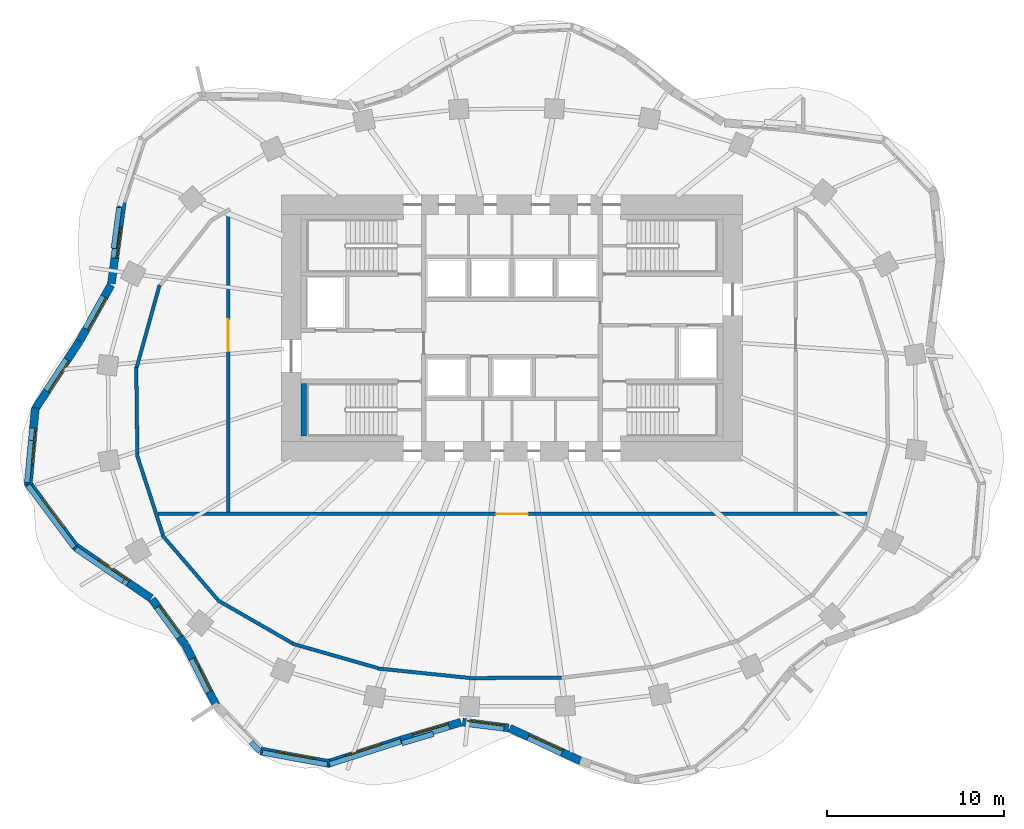
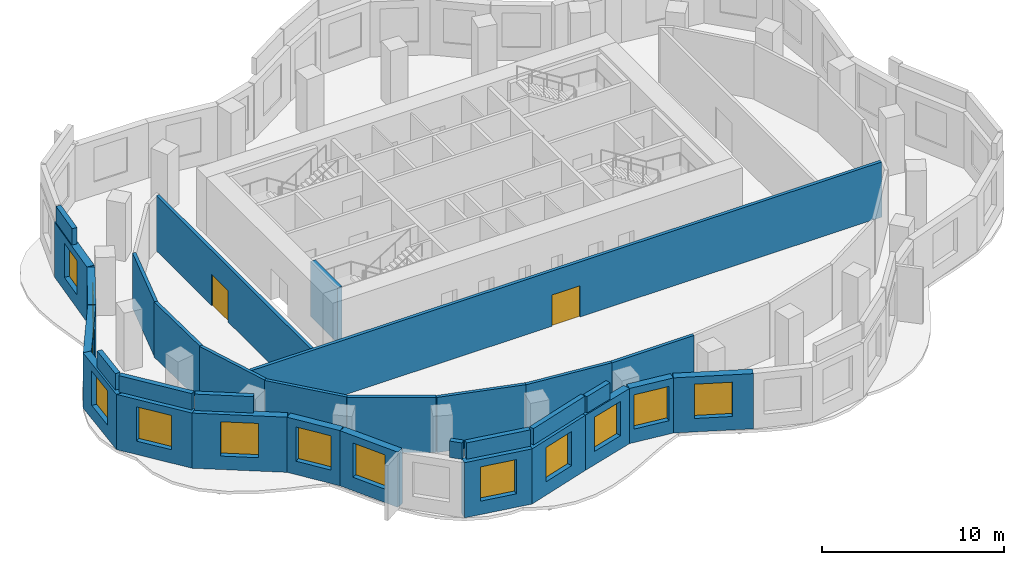
# One storey, part 3 of 8: 32 walls, 13 windows, 2 doors, 15 openings.
"""IFC4 building model written with IfcOpenShell, lengths in metres."""

import ifcopenshell
import ifcopenshell.guid

model = None  # the IFC model being written
_history = None  # IfcOwnerHistory: only IFC2X3 demands one
_inside = {}  # id of a spatial element -> (the spatial element, [elements in it])
_under = {}  # id of a project, library or spatial element -> (it, [spatial elements below it])
_declared = {}  # id of a project -> (the project, [libraries it declares])
_typed = {}  # id of a type object -> (the type object, [elements of that type])
_made_of = {}  # id of a material, layer set ... -> (it, [elements and type objects made of it])


def new_model(schema):
    """Start an empty IFC model of exactly this schema.

    Asked for "IFC4X3", IfcOpenShell would pick the latest addendum, in which some entities
    have other attributes; the version numbers below select the first issue.
    IFC2X3 requires an IfcOwnerHistory on every rooted entity: one is made here for all.
    """
    global model, _history
    if schema == "IFC4X3":
        model = ifcopenshell.file(schema_version=(4, 3, 0, 0))
    else:
        model = ifcopenshell.file(schema=schema)
    _inside.clear()
    _under.clear()
    _declared.clear()
    _typed.clear()
    _made_of.clear()
    _history = None
    if model.schema == "IFC2X3":
        org = make("IfcOrganization", Name="unknown")
        user = make(
            "IfcPersonAndOrganization",
            ThePerson=make("IfcPerson", FamilyName="unknown"),
            TheOrganization=org,
        )
        app = make(
            "IfcApplication",
            ApplicationDeveloper=org,
            Version="unknown",
            ApplicationFullName="unknown",
            ApplicationIdentifier="unknown",
        )
        _history = make(
            "IfcOwnerHistory",
            OwningUser=user,
            OwningApplication=app,
            ChangeAction="ADDED",
            CreationDate=0,
        )
    return model


def make(cls, **values):
    """One entity of the class cls with the attributes given. An attribute that is None is left unset."""
    return model.create_entity(
        cls, **{name: value for name, value in values.items() if value is not None}
    )


def rooted(cls, **values):
    """An entity with a GlobalId (a new one), such as an element, a storey or a relation."""
    return make(cls, GlobalId=ifcopenshell.guid.new(), OwnerHistory=_history, **values)


def si_unit(unit_type, name, prefix=None):
    """IfcSIUnit, for example si_unit("LENGTHUNIT", "METRE", prefix="MILLI")."""
    return make("IfcSIUnit", UnitType=unit_type, Prefix=prefix, Name=name)


def assignment(units):
    """IfcUnitAssignment: the units of a project."""
    return None if units is None else make("IfcUnitAssignment", Units=units)


def point(xyz):
    """IfcCartesianPoint."""
    return None if xyz is None else make("IfcCartesianPoint", Coordinates=xyz)


def direction(xyz):
    """IfcDirection."""
    return None if xyz is None else make("IfcDirection", DirectionRatios=xyz)


def frame(location, z_axis=None, x_axis=None):
    """IfcAxis2Placement3D, a coordinate frame: its origin and axes. An axis left out is left unset."""
    return make(
        "IfcAxis2Placement3D",
        Location=point(location),
        Axis=direction(z_axis),
        RefDirection=direction(x_axis),
    )


def frame_2d(location, x_axis=None):
    """IfcAxis2Placement2D, a coordinate frame in the plane: its origin and x axis."""
    return make(
        "IfcAxis2Placement2D", Location=point(location), RefDirection=direction(x_axis)
    )


def origin():
    """The frame at (0, 0, 0) with its axes left unset."""
    return frame((0.0, 0.0, 0.0))


def place(relative_to, where):
    """IfcLocalPlacement: puts the frame where relative to a parent placement (None: the world)."""
    return make(
        "IfcLocalPlacement", PlacementRelTo=relative_to, RelativePlacement=where
    )


def context(
    kind, dimensions, precision=None, world=None, true_north=None, identifier=None
):
    """IfcGeometricRepresentationContext, for example the 3D "Model" context."""
    return make(
        "IfcGeometricRepresentationContext",
        ContextIdentifier=identifier,
        ContextType=kind,
        CoordinateSpaceDimension=dimensions,
        Precision=precision,
        WorldCoordinateSystem=world,
        TrueNorth=true_north,
    )


def subcontext(parent, identifier, kind, view, scale=None):
    """IfcGeometricRepresentationSubContext, for example "Body" below "Model"."""
    return make(
        "IfcGeometricRepresentationSubContext",
        ContextIdentifier=identifier,
        ContextType=kind,
        ParentContext=parent,
        TargetScale=scale,
        TargetView=view,
    )


def project(units=None, contexts=None):
    """IfcProject with its units and contexts."""
    return rooted(
        "IfcProject",
        Name="project",
        RepresentationContexts=contexts,
        UnitsInContext=assignment(units),
    )


def spatial(cls, under=None, at=None, **own):
    """A site, building, storey or space (cls), placed at a placement, below another one or the project."""
    s = rooted(cls, ObjectPlacement=at, **own)
    if under is not None:
        _under.setdefault(under.id(), (under, []))[1].append(s)
    return s


def profile(cls, at=None, kind="AREA", **sizes):
    """A parametric profile (cls). Its sizes go by their IFC names, for example OverallWidth=200.0."""
    return make(cls, ProfileType=kind, Position=at, **sizes)


def rectangle(**sizes):
    """IfcRectangleProfileDef."""
    return profile("IfcRectangleProfileDef", **sizes)


def extrude(swept, where, along, depth):
    """IfcExtrudedAreaSolid: the profile swept, set in the frame where, extruded along a direction by depth."""
    return make(
        "IfcExtrudedAreaSolid",
        SweptArea=swept,
        Position=where,
        ExtrudedDirection=direction(along),
        Depth=depth,
    )


def shape(context_of_items, identifier, shape_type, items):
    """IfcShapeRepresentation: the items that make up one representation, for example the "Body"."""
    return make(
        "IfcShapeRepresentation",
        ContextOfItems=context_of_items,
        RepresentationIdentifier=identifier,
        RepresentationType=shape_type,
        Items=items,
    )


def material(Name=None, Category=None):
    """IfcMaterial."""
    return make("IfcMaterial", Name=Name, Category=Category)


def layer(
    of_material, thickness, ventilated=None, Name=None, Category=None, Priority=None
):
    """IfcMaterialLayer: one layer of a wall or slab, of a material (None: an air gap)."""
    return make(
        "IfcMaterialLayer",
        Material=of_material,
        LayerThickness=thickness,
        IsVentilated=ventilated,
        Name=Name,
        Category=Category,
        Priority=Priority,
    )


def layer_set(layers, Name=None):
    """IfcMaterialLayerSet."""
    return make("IfcMaterialLayerSet", MaterialLayers=layers, LayerSetName=Name)


def made_of(thing, what):
    """Note that an element or type object is made of a material, layer set ...; save() writes the relation."""
    if what is not None:
        _made_of.setdefault(what.id(), (what, []))[1].append(thing)
    return thing


def type_object(cls, material=None, **own):
    """A type object (cls), such as IfcWallType, which elements share."""
    return made_of(rooted(cls, **own), material)


def element(
    cls,
    number,
    at=None,
    inside=None,
    cuts=None,
    type_object=None,
    material=None,
    context=None,
    identifier="Body",
    shape_type=None,
    held_by="IfcProductDefinitionShape",
    body=None,
    shapes=None,
    **own,
):
    """One element of the class cls, such as IfcWall. Its Tag is "e" and its number.

    at: its placement. inside: the storey or other place that contains it. cuts: it is an
    opening in that element (IfcRelVoidsElement). A single representation is given by context,
    identifier, shape_type and body (its items); several are given by shapes. held_by: the class
    of the entity that holds the representations. save() writes the other relations.
    """
    e = rooted(cls, Tag="e%d" % number, ObjectPlacement=at, **own)
    if body is not None:
        shapes = [shape(context, identifier, shape_type, body)]
    if shapes is not None:
        e.Representation = make(held_by, Representations=shapes)
    if inside is not None:
        _inside.setdefault(inside.id(), (inside, []))[1].append(e)
    if cuts is not None:
        rooted(
            "IfcRelVoidsElement", RelatingBuildingElement=cuts, RelatedOpeningElement=e
        )
    if type_object is not None:
        _typed.setdefault(type_object.id(), (type_object, []))[1].append(e)
    return made_of(e, material)


def fill(opening, filler):
    """IfcRelFillsElement: the door or window that sits in an opening."""
    return rooted(
        "IfcRelFillsElement",
        RelatingOpeningElement=opening,
        RelatedBuildingElement=filler,
    )


def aggregate(whole, parts):
    """IfcRelAggregates: a whole, such as a stair, and the parts it consists of."""
    return rooted("IfcRelAggregates", RelatingObject=whole, RelatedObjects=parts)


def save(model, path):
    """Write the relations noted so far, then the file.

    IfcRelAggregates (storeys below a building ...), IfcRelContainedInSpatialStructure (elements
    in a storey), IfcRelDefinesByType, IfcRelAssociatesMaterial and IfcRelDeclares: one each for
    every whole, place, type object, material and project.
    """
    for whole, parts in _under.values():
        aggregate(whole, parts)
    for where, things in _inside.values():
        rooted(
            "IfcRelContainedInSpatialStructure",
            RelatedElements=things,
            RelatingStructure=where,
        )
    for kind, things in _typed.values():
        rooted("IfcRelDefinesByType", RelatedObjects=things, RelatingType=kind)
    for what, things in _made_of.values():
        rooted("IfcRelAssociatesMaterial", RelatedObjects=things, RelatingMaterial=what)
    for by, libraries in _declared.values():
        rooted("IfcRelDeclares", RelatingContext=by, RelatedDefinitions=libraries)
    model.write(path)


model = new_model("IFC4")

# Units and contexts
model_context = context("Model", 3, precision=1e-05, world=origin(), true_north=direction((0.0, 1.0)))
body_context = subcontext(model_context, "Body", "Model", "MODEL_VIEW")
ifc_project = project(units=[si_unit("LENGTHUNIT", "METRE"), si_unit("AREAUNIT", "SQUARE_METRE"), si_unit("VOLUMEUNIT", "CUBIC_METRE"), si_unit("PLANEANGLEUNIT", "RADIAN"), si_unit("MASSUNIT", "GRAM", prefix="KILO")], contexts=[model_context])

# Site, building, storey
site_placement = place(None, origin())
site = spatial("IfcSite", under=ifc_project, at=site_placement, CompositionType="ELEMENT")
building_placement = place(site_placement, origin())
building = spatial("IfcBuilding", under=site, at=building_placement, Name="Rubra Terraces Tower", CompositionType="ELEMENT")
storey_placement = place(building_placement, frame((0.0, 0.0, 150.0)))
storey = spatial("IfcBuildingStorey", under=building, at=storey_placement, Name="L36", CompositionType="ELEMENT", Elevation=150.0)

# Wall, opening, window
ifc_material_1 = material(Name="Brick masonry red-brown", Category="masonry")
ifc_layer_1 = layer(ifc_material_1, 0.449951171875)
ifc_layer_set_1 = layer_set([ifc_layer_1], Name="Brick masonry red-brown")
wall_type_1 = type_object("IfcWallType", Name="Brick facade wall 450", PredefinedType="SOLIDWALL", material=ifc_layer_set_1)
wall_1_placement = place(storey_placement, frame((-21.97705078125, 11.652099609375, 0.0), z_axis=(0.0, 0.0, 1.0), x_axis=(-0.132606175271, -0.991168806148, 0.0)))
wall_1 = element("IfcWall", 1, at=wall_1_placement, inside=storey, type_object=wall_type_1, Name="Facade wall L36 bay 18", PredefinedType="SOLIDWALL", context=body_context, shape_type="SweptSolid", body=[
    extrude(rectangle(XDim=4.698486328125, YDim=0.449951171875, at=frame_2d((2.34912109375, 0.0))), origin(), (0.0, 0.0, 1.0), 3.699951171875),
])
opening_1_placement = place(wall_1_placement, frame((1.44921875, 0.0, 0.89990234375)))
opening_1 = element("IfcOpeningElement", 2, at=opening_1_placement, cuts=wall_1, Name="Opening W6B", PredefinedType="OPENING", context=body_context, shape_type="SweptSolid", body=[
    extrude(rectangle(XDim=1.800048828125, YDim=2.300048828125, at=frame_2d((0.89990234375, 1.14990234375))), frame((0.0, 0.23486328125, 0.0), z_axis=(0.0, -1.0, 0.0), x_axis=(1.0, 0.0, 0.0)), (0.0, 0.0, 1.0), 0.469970703125),
])
ifc_material_2 = material(Name="Clear glass in aluminium frame", Category="aluminium")
window_type_1 = type_object("IfcWindowType", Name="Fixed deep-set window at wind fin tall storey 1800 x 2300", PartitioningType="SINGLE_PANEL", PredefinedType="WINDOW", material=ifc_material_2)
window_1_placement = place(opening_1_placement, origin())
window_1 = element("IfcWindow", 3, at=window_1_placement, inside=storey, type_object=window_type_1, Name="Window L36 bay 18", OverallHeight=2.300048828125, OverallWidth=1.800048828125, PartitioningType="SINGLE_PANEL", PredefinedType="WINDOW", context=body_context, shape_type="SweptSolid", body=[
    extrude(rectangle(XDim=1.800048828125, YDim=2.300048828125, at=frame_2d((0.89990234375, 1.14990234375))), frame((0.0, 0.135009765625, 0.0), z_axis=(0.0, -1.0, 0.0), x_axis=(1.0, 0.0, 0.0)), (0.0, 0.0, 1.0), 0.06005859375),
])
fill(opening_1, window_1)

wall_2_placement = place(storey_placement, frame((-22.623779296875, 6.920166015625, 0.0), z_axis=(0.0, 0.0, 1.0), x_axis=(-0.488352973107, -0.872646190422, 0.0)))
wall_2 = element("IfcWall", 4, at=wall_2_placement, inside=storey, type_object=wall_type_1, Name="Facade wall L36 bay 19", PredefinedType="SOLIDWALL", context=body_context, shape_type="SweptSolid", body=[
    extrude(rectangle(XDim=3.62255859375, YDim=0.449951171875, at=frame_2d((1.811279296875, 0.0))), origin(), (0.0, 0.0, 1.0), 3.699951171875),
])
opening_2_placement = place(wall_2_placement, frame((0.760986328125, 0.0, 0.89990234375)))
opening_2 = element("IfcOpeningElement", 5, at=opening_2_placement, cuts=wall_2, Name="Opening W1B", PredefinedType="OPENING", context=body_context, shape_type="SweptSolid", body=[
    extrude(rectangle(XDim=2.10009765625, YDim=2.300048828125, at=frame_2d((1.050048828125, 1.14990234375))), frame((0.0, 0.23486328125, 0.0), z_axis=(0.0, -1.0, 0.0), x_axis=(1.0, 0.0, 0.0)), (0.0, 0.0, 1.0), 0.469970703125),
])
window_type_2 = type_object("IfcWindowType", Name="Fixed deep-set window tall storey 2100 x 2300", PartitioningType="SINGLE_PANEL", PredefinedType="WINDOW", material=ifc_material_2)
window_2_placement = place(opening_2_placement, origin())
window_2 = element("IfcWindow", 6, at=window_2_placement, inside=storey, type_object=window_type_2, Name="Window L36 bay 19", OverallHeight=2.300048828125, OverallWidth=2.10009765625, PartitioningType="SINGLE_PANEL", PredefinedType="WINDOW", context=body_context, shape_type="SweptSolid", body=[
    extrude(rectangle(XDim=2.10009765625, YDim=2.300048828125, at=frame_2d((1.050048828125, 1.14990234375))), frame((0.0, 0.135009765625, 0.0), z_axis=(0.0, -1.0, 0.0), x_axis=(1.0, 0.0, 0.0)), (0.0, 0.0, 1.0), 0.06005859375),
])
fill(opening_2, window_2)

wall_3_placement = place(storey_placement, frame((-24.401123046875, 3.74462890625, 0.0), z_axis=(0.0, 0.0, 1.0), x_axis=(-0.547072638725, -0.837085137819, 0.0)))
wall_3 = element("IfcWall", 7, at=wall_3_placement, inside=storey, type_object=wall_type_1, Name="Facade wall L36 bay 20", PredefinedType="SOLIDWALL", context=body_context, shape_type="SweptSolid", body=[
    extrude(rectangle(XDim=4.61572265625, YDim=0.449951171875, at=frame_2d((2.307861328125, 0.0))), origin(), (0.0, 0.0, 1.0), 3.699951171875),
])
opening_3_placement = place(wall_3_placement, frame((1.2578125, 0.0, 0.89990234375)))
opening_3 = element("IfcOpeningElement", 8, at=opening_3_placement, cuts=wall_3, Name="Opening W1B", PredefinedType="OPENING", context=body_context, shape_type="SweptSolid", body=[
    extrude(rectangle(XDim=2.10009765625, YDim=2.300048828125, at=frame_2d((1.050048828125, 1.14990234375))), frame((0.0, 0.23486328125, 0.0), z_axis=(0.0, -1.0, 0.0), x_axis=(1.0, 0.0, 0.0)), (0.0, 0.0, 1.0), 0.469970703125),
])
window_3_placement = place(opening_3_placement, origin())
window_3 = element("IfcWindow", 9, at=window_3_placement, inside=storey, type_object=window_type_2, Name="Window L36 bay 20", OverallHeight=2.300048828125, OverallWidth=2.10009765625, PartitioningType="SINGLE_PANEL", PredefinedType="WINDOW", context=body_context, shape_type="SweptSolid", body=[
    extrude(rectangle(XDim=2.10009765625, YDim=2.300048828125, at=frame_2d((1.050048828125, 1.14990234375))), frame((0.0, 0.135009765625, 0.0), z_axis=(0.0, -1.0, 0.0), x_axis=(1.0, 0.0, 0.0)), (0.0, 0.0, 1.0), 0.06005859375),
])
fill(opening_3, window_3)

wall_4_placement = place(storey_placement, frame((-26.892822265625, -0.020751953125, 0.0), z_axis=(0.0, 0.0, 1.0), x_axis=(-0.092079421996, -0.995751665851, 0.0)))
wall_4 = element("IfcWall", 10, at=wall_4_placement, inside=storey, type_object=wall_type_1, Name="Facade wall L36 bay 21", PredefinedType="SOLIDWALL", context=body_context, shape_type="SweptSolid", body=[
    extrude(rectangle(XDim=4.37744140625, YDim=0.449951171875, at=frame_2d((2.188720703125, 0.0))), origin(), (0.0, 0.0, 1.0), 3.699951171875),
])
opening_4_placement = place(wall_4_placement, frame((1.138916015625, 0.0, 0.89990234375)))
opening_4 = element("IfcOpeningElement", 11, at=opening_4_placement, cuts=wall_4, Name="Opening W1B", PredefinedType="OPENING", context=body_context, shape_type="SweptSolid", body=[
    extrude(rectangle(XDim=2.10009765625, YDim=2.300048828125, at=frame_2d((1.050048828125, 1.14990234375))), frame((0.0, 0.23486328125, 0.0), z_axis=(0.0, -1.0, 0.0), x_axis=(1.0, 0.0, 0.0)), (0.0, 0.0, 1.0), 0.469970703125),
])
window_4_placement = place(opening_4_placement, origin())
window_4 = element("IfcWindow", 12, at=window_4_placement, inside=storey, type_object=window_type_2, Name="Window L36 bay 21", OverallHeight=2.300048828125, OverallWidth=2.10009765625, PartitioningType="SINGLE_PANEL", PredefinedType="WINDOW", context=body_context, shape_type="SweptSolid", body=[
    extrude(rectangle(XDim=2.10009765625, YDim=2.300048828125, at=frame_2d((1.050048828125, 1.14990234375))), frame((0.0, 0.135009765625, 0.0), z_axis=(0.0, -1.0, 0.0), x_axis=(1.0, 0.0, 0.0)), (0.0, 0.0, 1.0), 0.06005859375),
])
fill(opening_4, window_4)

wall_5_placement = place(storey_placement, frame((-27.339599609375, -4.224609375, 0.0), z_axis=(0.0, 0.0, 1.0), x_axis=(0.597544608195, -0.801835669709, 0.0)))
wall_5 = element("IfcWall", 13, at=wall_5_placement, inside=storey, type_object=wall_type_1, Name="Facade wall L36 bay 22", PredefinedType="SOLIDWALL", context=body_context, shape_type="SweptSolid", body=[
    extrude(rectangle(XDim=4.523193359375, YDim=0.449951171875, at=frame_2d((2.26171875, 0.0))), origin(), (0.0, 0.0, 1.0), 3.699951171875),
])
opening_5_placement = place(wall_5_placement, frame((1.211669921875, 0.0, 0.89990234375)))
opening_5 = element("IfcOpeningElement", 14, at=opening_5_placement, cuts=wall_5, Name="Opening W1B", PredefinedType="OPENING", context=body_context, shape_type="SweptSolid", body=[
    extrude(rectangle(XDim=2.10009765625, YDim=2.300048828125, at=frame_2d((1.050048828125, 1.14990234375))), frame((0.0, 0.23486328125, 0.0), z_axis=(0.0, -1.0, 0.0), x_axis=(1.0, 0.0, 0.0)), (0.0, 0.0, 1.0), 0.469970703125),
])
window_5_placement = place(opening_5_placement, origin())
window_5 = element("IfcWindow", 15, at=window_5_placement, inside=storey, type_object=window_type_2, Name="Window L36 bay 22", OverallHeight=2.300048828125, OverallWidth=2.10009765625, PartitioningType="SINGLE_PANEL", PredefinedType="WINDOW", context=body_context, shape_type="SweptSolid", body=[
    extrude(rectangle(XDim=2.10009765625, YDim=2.300048828125, at=frame_2d((1.050048828125, 1.14990234375))), frame((0.0, 0.135009765625, 0.0), z_axis=(0.0, -1.0, 0.0), x_axis=(1.0, 0.0, 0.0)), (0.0, 0.0, 1.0), 0.06005859375),
])
fill(opening_5, window_5)

wall_6_placement = place(storey_placement, frame((-24.690185546875, -7.80029296875, 0.0), z_axis=(0.0, 0.0, 1.0), x_axis=(0.825631274437, -0.564210066085, 0.0)))
wall_6 = element("IfcWall", 16, at=wall_6_placement, inside=storey, type_object=wall_type_1, Name="Facade wall L36 bay 23", PredefinedType="SOLIDWALL", context=body_context, shape_type="SweptSolid", body=[
    extrude(rectangle(XDim=5.24658203125, YDim=0.449951171875, at=frame_2d((2.623291015625, 0.0))), origin(), (0.0, 0.0, 1.0), 3.699951171875),
])
opening_6_placement = place(wall_6_placement, frame((1.573486328125, 0.0, 0.89990234375)))
opening_6 = element("IfcOpeningElement", 17, at=opening_6_placement, cuts=wall_6, Name="Opening W1B", PredefinedType="OPENING", context=body_context, shape_type="SweptSolid", body=[
    extrude(rectangle(XDim=2.10009765625, YDim=2.300048828125, at=frame_2d((1.050048828125, 1.14990234375))), frame((0.0, 0.23486328125, 0.0), z_axis=(0.0, -1.0, 0.0), x_axis=(1.0, 0.0, 0.0)), (0.0, 0.0, 1.0), 0.469970703125),
])
window_6_placement = place(opening_6_placement, origin())
window_6 = element("IfcWindow", 18, at=window_6_placement, inside=storey, type_object=window_type_2, Name="Window L36 bay 23", OverallHeight=2.300048828125, OverallWidth=2.10009765625, PartitioningType="SINGLE_PANEL", PredefinedType="WINDOW", context=body_context, shape_type="SweptSolid", body=[
    extrude(rectangle(XDim=2.10009765625, YDim=2.300048828125, at=frame_2d((1.050048828125, 1.14990234375))), frame((0.0, 0.135009765625, 0.0), z_axis=(0.0, -1.0, 0.0), x_axis=(1.0, 0.0, 0.0)), (0.0, 0.0, 1.0), 0.06005859375),
])
fill(opening_6, window_6)

wall_7_placement = place(storey_placement, frame((-20.307373046875, -10.808349609375, 0.0), z_axis=(0.0, 0.0, 1.0), x_axis=(0.588623179346, -0.808407541242, 0.0)))
wall_7 = element("IfcWall", 19, at=wall_7_placement, inside=storey, type_object=wall_type_1, Name="Facade wall L36 bay 24", PredefinedType="SOLIDWALL", context=body_context, shape_type="SweptSolid", body=[
    extrude(rectangle(XDim=3.1826171875, YDim=0.449951171875, at=frame_2d((1.59130859375, 0.0))), origin(), (0.0, 0.0, 1.0), 3.699951171875),
])
opening_7_placement = place(wall_7_placement, frame((0.541259765625, 0.0, 0.89990234375)))
opening_7 = element("IfcOpeningElement", 20, at=opening_7_placement, cuts=wall_7, Name="Opening W1B", PredefinedType="OPENING", context=body_context, shape_type="SweptSolid", body=[
    extrude(rectangle(XDim=2.10009765625, YDim=2.300048828125, at=frame_2d((1.050048828125, 1.14990234375))), frame((0.0, 0.23486328125, 0.0), z_axis=(0.0, -1.0, 0.0), x_axis=(1.0, 0.0, 0.0)), (0.0, 0.0, 1.0), 0.469970703125),
])
window_7_placement = place(opening_7_placement, origin())
window_7 = element("IfcWindow", 21, at=window_7_placement, inside=storey, type_object=window_type_2, Name="Window L36 bay 24", OverallHeight=2.300048828125, OverallWidth=2.10009765625, PartitioningType="SINGLE_PANEL", PredefinedType="WINDOW", context=body_context, shape_type="SweptSolid", body=[
    extrude(rectangle(XDim=2.10009765625, YDim=2.300048828125, at=frame_2d((1.050048828125, 1.14990234375))), frame((0.0, 0.135009765625, 0.0), z_axis=(0.0, -1.0, 0.0), x_axis=(1.0, 0.0, 0.0)), (0.0, 0.0, 1.0), 0.06005859375),
])
fill(opening_7, window_7)

wall_8_placement = place(storey_placement, frame((-18.4140625, -13.412109375, 0.0), z_axis=(0.0, 0.0, 1.0), x_axis=(0.453339558905, -0.891337895712, 0.0)))
wall_8 = element("IfcWall", 22, at=wall_8_placement, inside=storey, type_object=wall_type_1, Name="Facade wall L36 bay 25", PredefinedType="SOLIDWALL", context=body_context, shape_type="SweptSolid", body=[
    extrude(rectangle(XDim=3.78759765625, YDim=0.449951171875, at=frame_2d((1.893798828125, 0.0))), origin(), (0.0, 0.0, 1.0), 3.699951171875),
])
opening_8_placement = place(wall_8_placement, frame((0.843994140625, 0.0, 0.89990234375)))
opening_8 = element("IfcOpeningElement", 23, at=opening_8_placement, cuts=wall_8, Name="Opening W1B", PredefinedType="OPENING", context=body_context, shape_type="SweptSolid", body=[
    extrude(rectangle(XDim=2.10009765625, YDim=2.300048828125, at=frame_2d((1.050048828125, 1.14990234375))), frame((0.0, 0.23486328125, 0.0), z_axis=(0.0, -1.0, 0.0), x_axis=(1.0, 0.0, 0.0)), (0.0, 0.0, 1.0), 0.469970703125),
])
window_8_placement = place(opening_8_placement, origin())
window_8 = element("IfcWindow", 24, at=window_8_placement, inside=storey, type_object=window_type_2, Name="Window L36 bay 25", OverallHeight=2.300048828125, OverallWidth=2.10009765625, PartitioningType="SINGLE_PANEL", PredefinedType="WINDOW", context=body_context, shape_type="SweptSolid", body=[
    extrude(rectangle(XDim=2.10009765625, YDim=2.300048828125, at=frame_2d((1.050048828125, 1.14990234375))), frame((0.0, 0.135009765625, 0.0), z_axis=(0.0, -1.0, 0.0), x_axis=(1.0, 0.0, 0.0)), (0.0, 0.0, 1.0), 0.06005859375),
])
fill(opening_8, window_8)

wall_9_placement = place(storey_placement, frame((-14.193603515625, -19.36962890625, 0.0), z_axis=(0.0, 0.0, 1.0), x_axis=(0.983644868335, -0.180118774698, 0.0)))
wall_9 = element("IfcWall", 25, at=wall_9_placement, inside=storey, type_object=wall_type_1, Name="Facade wall L36 bay 27", PredefinedType="SOLIDWALL", context=body_context, shape_type="SweptSolid", body=[
    extrude(rectangle(XDim=3.953857421875, YDim=0.449951171875, at=frame_2d((1.97705078125, 0.0))), origin(), (0.0, 0.0, 1.0), 3.699951171875),
])
opening_9_placement = place(wall_9_placement, frame((0.9267578125, 0.0, 0.89990234375)))
opening_9 = element("IfcOpeningElement", 26, at=opening_9_placement, cuts=wall_9, Name="Opening W1B", PredefinedType="OPENING", context=body_context, shape_type="SweptSolid", body=[
    extrude(rectangle(XDim=2.10009765625, YDim=2.300048828125, at=frame_2d((1.050048828125, 1.14990234375))), frame((0.0, 0.23486328125, 0.0), z_axis=(0.0, -1.0, 0.0), x_axis=(1.0, 0.0, 0.0)), (0.0, 0.0, 1.0), 0.469970703125),
])
window_9_placement = place(opening_9_placement, origin())
window_9 = element("IfcWindow", 27, at=window_9_placement, inside=storey, type_object=window_type_2, Name="Window L36 bay 27", OverallHeight=2.300048828125, OverallWidth=2.10009765625, PartitioningType="SINGLE_PANEL", PredefinedType="WINDOW", context=body_context, shape_type="SweptSolid", body=[
    extrude(rectangle(XDim=2.10009765625, YDim=2.300048828125, at=frame_2d((1.050048828125, 1.14990234375))), frame((0.0, 0.135009765625, 0.0), z_axis=(0.0, -1.0, 0.0), x_axis=(1.0, 0.0, 0.0)), (0.0, 0.0, 1.0), 0.06005859375),
])
fill(opening_9, window_9)

wall_10_placement = place(storey_placement, frame((-10.410888671875, -20.087890625, 0.0), z_axis=(0.0, 0.0, 1.0), x_axis=(0.952259303219, 0.305290385423, 0.0)))
wall_10 = element("IfcWall", 28, at=wall_10_placement, inside=storey, type_object=wall_type_1, Name="Facade wall L36 bay 28", PredefinedType="SOLIDWALL", context=body_context, shape_type="SweptSolid", body=[
    extrude(rectangle(XDim=4.354248046875, YDim=0.449951171875, at=frame_2d((2.17724609375, 0.0))), origin(), (0.0, 0.0, 1.0), 3.699951171875),
])
opening_10_placement = place(wall_10_placement, frame((1.127197265625, 0.0, 0.89990234375)))
opening_10 = element("IfcOpeningElement", 29, at=opening_10_placement, cuts=wall_10, Name="Opening W1B", PredefinedType="OPENING", context=body_context, shape_type="SweptSolid", body=[
    extrude(rectangle(XDim=2.10009765625, YDim=2.300048828125, at=frame_2d((1.050048828125, 1.14990234375))), frame((0.0, 0.23486328125, 0.0), z_axis=(0.0, -1.0, 0.0), x_axis=(1.0, 0.0, 0.0)), (0.0, 0.0, 1.0), 0.469970703125),
])
window_10_placement = place(opening_10_placement, origin())
window_10 = element("IfcWindow", 30, at=window_10_placement, inside=storey, type_object=window_type_2, Name="Window L36 bay 28", OverallHeight=2.300048828125, OverallWidth=2.10009765625, PartitioningType="SINGLE_PANEL", PredefinedType="WINDOW", context=body_context, shape_type="SweptSolid", body=[
    extrude(rectangle(XDim=2.10009765625, YDim=2.300048828125, at=frame_2d((1.050048828125, 1.14990234375))), frame((0.0, 0.135009765625, 0.0), z_axis=(0.0, -1.0, 0.0), x_axis=(1.0, 0.0, 0.0)), (0.0, 0.0, 1.0), 0.06005859375),
])
fill(opening_10, window_10)

wall_11_placement = place(storey_placement, frame((-6.25927734375, -18.757080078125, 0.0), z_axis=(0.0, 0.0, 1.0), x_axis=(0.958402993098, 0.285418469658, 0.0)))
wall_11 = element("IfcWall", 31, at=wall_11_placement, inside=storey, type_object=wall_type_1, Name="Facade wall L36 bay 29", PredefinedType="SOLIDWALL", context=body_context, shape_type="SweptSolid", body=[
    extrude(rectangle(XDim=3.530029296875, YDim=0.449951171875, at=frame_2d((1.76513671875, 0.0))), origin(), (0.0, 0.0, 1.0), 3.699951171875),
])
opening_11_placement = place(wall_11_placement, frame((0.715087890625, 0.0, 0.89990234375)))
opening_11 = element("IfcOpeningElement", 32, at=opening_11_placement, cuts=wall_11, Name="Opening W1B", PredefinedType="OPENING", context=body_context, shape_type="SweptSolid", body=[
    extrude(rectangle(XDim=2.10009765625, YDim=2.300048828125, at=frame_2d((1.050048828125, 1.14990234375))), frame((0.0, 0.23486328125, 0.0), z_axis=(0.0, -1.0, 0.0), x_axis=(1.0, 0.0, 0.0)), (0.0, 0.0, 1.0), 0.469970703125),
])
window_11_placement = place(opening_11_placement, origin())
window_11 = element("IfcWindow", 33, at=window_11_placement, inside=storey, type_object=window_type_2, Name="Window L36 bay 29", OverallHeight=2.300048828125, OverallWidth=2.10009765625, PartitioningType="SINGLE_PANEL", PredefinedType="WINDOW", context=body_context, shape_type="SweptSolid", body=[
    extrude(rectangle(XDim=2.10009765625, YDim=2.300048828125, at=frame_2d((1.050048828125, 1.14990234375))), frame((0.0, 0.135009765625, 0.0), z_axis=(0.0, -1.0, 0.0), x_axis=(1.0, 0.0, 0.0)), (0.0, 0.0, 1.0), 0.06005859375),
])
fill(opening_11, window_11)

wall_12_placement = place(storey_placement, frame((-2.786865234375, -17.7431640625, 0.0), z_axis=(0.0, 0.0, 1.0), x_axis=(0.992082884112, -0.125584836078, 0.0)))
wall_12 = element("IfcWall", 34, at=wall_12_placement, inside=storey, type_object=wall_type_1, Name="Facade wall L36 bay 30", PredefinedType="SOLIDWALL", context=body_context, shape_type="SweptSolid", body=[
    extrude(rectangle(XDim=2.61669921875, YDim=0.449951171875, at=frame_2d((1.308349609375, 0.0))), origin(), (0.0, 0.0, 1.0), 3.699951171875),
])
opening_12_placement = place(wall_12_placement, frame((0.25830078125, 0.0, 0.89990234375)))
opening_12 = element("IfcOpeningElement", 35, at=opening_12_placement, cuts=wall_12, Name="Opening W1B", PredefinedType="OPENING", context=body_context, shape_type="SweptSolid", body=[
    extrude(rectangle(XDim=2.10009765625, YDim=2.300048828125, at=frame_2d((1.050048828125, 1.14990234375))), frame((0.0, 0.23486328125, 0.0), z_axis=(0.0, -1.0, 0.0), x_axis=(1.0, 0.0, 0.0)), (0.0, 0.0, 1.0), 0.469970703125),
])
window_12_placement = place(opening_12_placement, origin())
window_12 = element("IfcWindow", 36, at=window_12_placement, inside=storey, type_object=window_type_2, Name="Window L36 bay 30", OverallHeight=2.300048828125, OverallWidth=2.10009765625, PartitioningType="SINGLE_PANEL", PredefinedType="WINDOW", context=body_context, shape_type="SweptSolid", body=[
    extrude(rectangle(XDim=2.10009765625, YDim=2.300048828125, at=frame_2d((1.050048828125, 1.14990234375))), frame((0.0, 0.135009765625, 0.0), z_axis=(0.0, -1.0, 0.0), x_axis=(1.0, 0.0, 0.0)), (0.0, 0.0, 1.0), 0.06005859375),
])
fill(opening_12, window_12)

wall_13_placement = place(storey_placement, frame((-0.125, -18.090576171875, 0.0), z_axis=(0.0, 0.0, 1.0), x_axis=(0.908677980036, -0.417497698912, 0.0)))
wall_13 = element("IfcWall", 37, at=wall_13_placement, inside=storey, type_object=wall_type_1, Name="Facade wall L36 bay 31", PredefinedType="SOLIDWALL", context=body_context, shape_type="SweptSolid", body=[
    extrude(rectangle(XDim=4.40673828125, YDim=0.449951171875, at=frame_2d((2.203369140625, 0.0))), origin(), (0.0, 0.0, 1.0), 3.699951171875),
])
opening_13_placement = place(wall_13_placement, frame((1.153564453125, 0.0, 0.89990234375)))
opening_13 = element("IfcOpeningElement", 38, at=opening_13_placement, cuts=wall_13, Name="Opening W1B", PredefinedType="OPENING", context=body_context, shape_type="SweptSolid", body=[
    extrude(rectangle(XDim=2.10009765625, YDim=2.300048828125, at=frame_2d((1.050048828125, 1.14990234375))), frame((0.0, 0.23486328125, 0.0), z_axis=(0.0, -1.0, 0.0), x_axis=(1.0, 0.0, 0.0)), (0.0, 0.0, 1.0), 0.469970703125),
])
window_13_placement = place(opening_13_placement, origin())
window_13 = element("IfcWindow", 39, at=window_13_placement, inside=storey, type_object=window_type_2, Name="Window L36 bay 31", OverallHeight=2.300048828125, OverallWidth=2.10009765625, PartitioningType="SINGLE_PANEL", PredefinedType="WINDOW", context=body_context, shape_type="SweptSolid", body=[
    extrude(rectangle(XDim=2.10009765625, YDim=2.300048828125, at=frame_2d((1.050048828125, 1.14990234375))), frame((0.0, 0.135009765625, 0.0), z_axis=(0.0, -1.0, 0.0), x_axis=(1.0, 0.0, 0.0)), (0.0, 0.0, 1.0), 0.06005859375),
])
fill(opening_13, window_13)

# Walls
ifc_layer_2 = layer(ifc_material_1, 0.300048828125)
ifc_layer_set_2 = layer_set([ifc_layer_2], Name="Brick masonry red-brown")
wall_type_2 = type_object("IfcWallType", Name="Brick parapet 300", PredefinedType="PARAPET", material=ifc_layer_set_2)
wall_14_placement = place(storey_placement, frame((-22.161865234375, 11.28759765625, 3.89990234375), z_axis=(0.0, 0.0, 1.0), x_axis=(-0.132583148979, -0.991171886509, 0.0)))
element("IfcWall", 40, at=wall_14_placement, inside=storey, type_object=wall_type_2, Name="Parapet L36 bay 18", PredefinedType="PARAPET", context=body_context, shape_type="SweptSolid", body=[
    extrude(rectangle(XDim=2.32568359375, YDim=0.300048828125, at=frame_2d((1.162841796875, 0.0))), origin(), (0.0, 0.0, 1.0), 1.10009765625),
])
wall_15_placement = place(storey_placement, frame((-27.136962890625, -1.84423828125, 3.89990234375), z_axis=(0.0, 0.0, 1.0), x_axis=(-0.09207090573, -0.995752453333, 0.0)))
element("IfcWall", 41, at=wall_15_placement, inside=storey, type_object=wall_type_2, Name="Parapet L36 bay 21", PredefinedType="PARAPET", context=body_context, shape_type="SweptSolid", body=[
    extrude(rectangle(XDim=2.39453125, YDim=0.300048828125, at=frame_2d((1.197265625, 0.0))), origin(), (0.0, 0.0, 1.0), 1.10009765625),
])
wall_16_placement = place(storey_placement, frame((-27.31298828125, -4.3857421875, 3.89990234375), z_axis=(0.0, 0.0, 1.0), x_axis=(0.59755096896, -0.801830929495, 0.0)))
element("IfcWall", 42, at=wall_16_placement, inside=storey, type_object=wall_type_2, Name="Parapet L36 bay 22", PredefinedType="PARAPET", context=body_context, shape_type="SweptSolid", body=[
    extrude(rectangle(XDim=4.375244140625, YDim=0.300048828125, at=frame_2d((2.1875, 0.0))), origin(), (0.0, 0.0, 1.0), 1.10009765625),
])
wall_17_placement = place(storey_placement, frame((-24.620361328125, -7.96923828125, 3.89990234375), z_axis=(0.0, 0.0, 1.0), x_axis=(0.825656338645, -0.564173386872, 0.0)))
element("IfcWall", 43, at=wall_17_placement, inside=storey, type_object=wall_type_2, Name="Parapet L36 bay 23", PredefinedType="PARAPET", context=body_context, shape_type="SweptSolid", body=[
    extrude(rectangle(XDim=3.24072265625, YDim=0.300048828125, at=frame_2d((1.620361328125, 0.0))), origin(), (0.0, 0.0, 1.0), 1.10009765625),
])
wall_18_placement = place(storey_placement, frame((-14.719482421875, -18.885498046875, 3.89990234375), z_axis=(0.0, 0.0, 1.0), x_axis=(0.702333802144, -0.711847757857, 0.0)))
element("IfcWall", 44, at=wall_18_placement, inside=storey, type_object=wall_type_2, Name="Parapet L36 bay 26", PredefinedType="PARAPET", context=body_context, shape_type="SweptSolid", body=[
    extrude(rectangle(XDim=0.718505859375, YDim=0.300048828125, at=frame_2d((0.359375, 0.0))), origin(), (0.0, 0.0, 1.0), 1.10009765625),
])
wall_19_placement = place(storey_placement, frame((-14.08447265625, -19.4658203125, 3.89990234375), z_axis=(0.0, 0.0, 1.0), x_axis=(0.983649941349, -0.180091068307, 0.0)))
element("IfcWall", 45, at=wall_19_placement, inside=storey, type_object=wall_type_2, Name="Parapet L36 bay 27", PredefinedType="PARAPET", context=body_context, shape_type="SweptSolid", body=[
    extrude(rectangle(XDim=3.723876953125, YDim=0.300048828125, at=frame_2d((1.86181640625, 0.0))), origin(), (0.0, 0.0, 1.0), 1.10009765625),
])
wall_20_placement = place(storey_placement, frame((-10.29052734375, -20.1279296875, 3.89990234375), z_axis=(0.0, 0.0, 1.0), x_axis=(0.95227021617, 0.305256343745, 0.0)))
element("IfcWall", 46, at=wall_20_placement, inside=storey, type_object=wall_type_2, Name="Parapet L36 bay 28", PredefinedType="PARAPET", context=body_context, shape_type="SweptSolid", body=[
    extrude(rectangle(XDim=4.220458984375, YDim=0.300048828125, at=frame_2d((2.1103515625, 0.0))), origin(), (0.0, 0.0, 1.0), 1.10009765625),
])
wall_21_placement = place(storey_placement, frame((-6.2080078125, -18.939697265625, 3.89990234375), z_axis=(0.0, 0.0, 1.0), x_axis=(0.958406458316, 0.285406833587, 0.0)))
element("IfcWall", 47, at=wall_21_placement, inside=storey, type_object=wall_type_2, Name="Parapet L36 bay 29", PredefinedType="PARAPET", context=body_context, shape_type="SweptSolid", body=[
    extrude(rectangle(XDim=1.846923828125, YDim=0.300048828125, at=frame_2d((0.92333984375, 0.0))), origin(), (0.0, 0.0, 1.0), 1.10009765625),
])
ifc_material_3 = material(Name="Concrete C40", Category="concrete")
ifc_layer_3 = layer(ifc_material_3, 0.300048828125)
ifc_layer_set_3 = layer_set([ifc_layer_3], Name="Concrete C40")
wall_type_3 = type_object("IfcWallType", Name="Core lining wall 300 concrete", PredefinedType="SOLIDWALL", material=ifc_layer_set_3)
wall_22_placement = place(storey_placement, frame((-11.75, -1.60009765625, 0.0), z_axis=(0.0, 0.0, 1.0), x_axis=(0.0, 1.0, 0.0)))
element("IfcWall", 48, at=wall_22_placement, inside=storey, type_object=wall_type_3, Name="CORE LINING WALL L36", PredefinedType="SOLIDWALL", context=body_context, shape_type="SweptSolid", body=[
    extrude(rectangle(XDim=2.9501953125, YDim=0.300048828125, at=frame_2d((1.47509765625, 0.0))), origin(), (0.0, 0.0, 1.0), 3.699951171875),
])
ifc_material_4 = material(Name="Blockwork", Category="masonry")
ifc_layer_4 = layer(ifc_material_4, 0.199951171875)
ifc_layer_set_4 = layer_set([ifc_layer_4], Name="Blockwork")
wall_type_4 = type_object("IfcWallType", Name="Corridor partition 200 blockwork", PredefinedType="PARTITIONING", material=ifc_layer_set_4)
wall_23_placement = place(storey_placement, frame((2.799072265625, -15.236083984375, 0.0), z_axis=(0.0, 0.0, 1.0), x_axis=(-0.9999876741, -0.004965042553, 0.0)))
element("IfcWall", 49, at=wall_23_placement, inside=storey, type_object=wall_type_4, Name="Partition wall", PredefinedType="PARTITIONING", context=body_context, shape_type="SweptSolid", body=[
    extrude(rectangle(XDim=5.212158203125, YDim=0.199951171875, at=frame_2d((2.60595703125, 0.0))), origin(), (0.0, 0.0, 1.0), 3.699951171875),
])
wall_24_placement = place(storey_placement, frame((-2.412109375, -15.251953125, 0.0), z_axis=(0.0, 0.0, 1.0), x_axis=(-0.994673915242, 0.103071830955, 0.0)))
element("IfcWall", 50, at=wall_24_placement, inside=storey, type_object=wall_type_4, Name="Partition wall", PredefinedType="PARTITIONING", context=body_context, shape_type="SweptSolid", body=[
    extrude(rectangle(XDim=5.161376953125, YDim=0.199951171875, at=frame_2d((2.58056640625, 0.0))), origin(), (0.0, 0.0, 1.0), 3.699951171875),
])
wall_25_placement = place(storey_placement, frame((-7.54296875, -14.702880859375, 0.0), z_axis=(0.0, 0.0, 1.0), x_axis=(-0.961706339668, 0.27408195169, 0.0)))
element("IfcWall", 51, at=wall_25_placement, inside=storey, type_object=wall_type_4, Name="Partition wall", PredefinedType="PARTITIONING", context=body_context, shape_type="SweptSolid", body=[
    extrude(rectangle(XDim=5.045166015625, YDim=0.199951171875, at=frame_2d((2.5224609375, 0.0))), origin(), (0.0, 0.0, 1.0), 3.699951171875),
])
wall_26_placement = place(storey_placement, frame((-12.385986328125, -13.297119140625, 0.0), z_axis=(0.0, 0.0, 1.0), x_axis=(-0.866617890559, 0.498972375751, 0.0)))
element("IfcWall", 52, at=wall_26_placement, inside=storey, type_object=wall_type_4, Name="Partition wall", PredefinedType="PARTITIONING", context=body_context, shape_type="SweptSolid", body=[
    extrude(rectangle(XDim=4.904052734375, YDim=0.199951171875, at=frame_2d((2.4521484375, 0.0))), origin(), (0.0, 0.0, 1.0), 3.699951171875),
])
wall_27_placement = place(storey_placement, frame((-16.614013671875, -10.823974609375, 0.0), z_axis=(0.0, 0.0, 1.0), x_axis=(-0.652570543166, 0.757727976382, 0.0)))
element("IfcWall", 53, at=wall_27_placement, inside=storey, type_object=wall_type_4, Name="Partition wall", PredefinedType="PARTITIONING", context=body_context, shape_type="SweptSolid", body=[
    extrude(rectangle(XDim=4.76416015625, YDim=0.199951171875, at=frame_2d((2.382080078125, 0.0))), origin(), (0.0, 0.0, 1.0), 3.699951171875),
])
wall_28_placement = place(storey_placement, frame((-19.68896484375, -7.195068359375, 0.0), z_axis=(0.0, 0.0, 1.0), x_axis=(-0.308517152125, 0.951218779695, 0.0)))
element("IfcWall", 54, at=wall_28_placement, inside=storey, type_object=wall_type_4, Name="Partition wall", PredefinedType="PARTITIONING", context=body_context, shape_type="SweptSolid", body=[
    extrude(rectangle(XDim=4.7939453125, YDim=0.199951171875, at=frame_2d((2.39697265625, 0.0))), origin(), (0.0, 0.0, 1.0), 3.699951171875),
])

# Wall, opening, door
wall_29_placement = place(storey_placement, frame((-19.97705078125, -6.0, 0.0), z_axis=(0.0, 0.0, 1.0), x_axis=(1.0, 0.0, 0.0)))
wall_29 = element("IfcWall", 55, at=wall_29_placement, inside=storey, type_object=wall_type_4, Name="Partition wall", PredefinedType="PARTITIONING", context=body_context, shape_type="SweptSolid", body=[
    extrude(rectangle(XDim=40.01513671875, YDim=0.199951171875, at=frame_2d((20.007568359375, 0.0))), origin(), (0.0, 0.0, 1.0), 3.699951171875),
])
opening_14_placement = place(wall_29_placement, frame((19.076904296875, 0.0, 0.0)))
opening_14 = element("IfcOpeningElement", 56, at=opening_14_placement, cuts=wall_29, Name="Opening DB3", PredefinedType="OPENING", context=body_context, shape_type="SweptSolid", body=[
    extrude(rectangle(XDim=1.800048828125, YDim=2.10009765625, at=frame_2d((0.89990234375, 1.050048828125))), frame((0.0, 0.10986328125, 0.0), z_axis=(0.0, -1.0, 0.0), x_axis=(1.0, 0.0, 0.0)), (0.0, 0.0, 1.0), 0.219970703125),
])
ifc_material_5 = material(Name="Painted steel", Category="steel")
door_type = type_object("IfcDoorType", Name="Door 1800x2100 double", OperationType="NOTDEFINED", PredefinedType="DOOR", material=ifc_material_5)
door_1_placement = place(opening_14_placement, origin())
door_1 = element("IfcDoor", 57, at=door_1_placement, inside=storey, type_object=door_type, Name="Refuge area door L36-01", OperationType="DOUBLE_DOOR_SINGLE_SWING", OverallHeight=2.10009765625, OverallWidth=1.800048828125, PredefinedType="DOOR", context=body_context, shape_type="SweptSolid", body=[
    extrude(rectangle(XDim=1.800048828125, YDim=2.10009765625, at=frame_2d((0.89990234375, 1.050048828125))), frame((0.0, 0.02490234375, 0.0), z_axis=(0.0, -1.0, 0.0), x_axis=(1.0, 0.0, 0.0)), (0.0, 0.0, 1.0), 0.050048828125),
])
fill(opening_14, door_1)

# Walls
wall_30_placement = place(storey_placement, frame((-21.137939453125, -2.6298828125, 0.0), z_axis=(0.0, 0.0, 1.0), x_axis=(-0.012626385888, 0.999920284012, 0.0)))
element("IfcWall", 58, at=wall_30_placement, inside=storey, type_object=wall_type_4, Name="Partition wall", PredefinedType="PARTITIONING", context=body_context, shape_type="SweptSolid", body=[
    extrude(rectangle(XDim=4.911376953125, YDim=0.199951171875, at=frame_2d((2.45556640625, 0.0))), origin(), (0.0, 0.0, 1.0), 3.699951171875),
])
wall_31_placement = place(storey_placement, frame((-21.172119140625, 2.277099609375, 0.0), z_axis=(0.0, 0.0, 1.0), x_axis=(0.267756413289, 0.963486638798, 0.0)))
element("IfcWall", 59, at=wall_31_placement, inside=storey, type_object=wall_type_4, Name="Partition wall", PredefinedType="PARTITIONING", context=body_context, shape_type="SweptSolid", body=[
    extrude(rectangle(XDim=4.810546875, YDim=0.199951171875, at=frame_2d((2.4052734375, 0.0))), origin(), (0.0, 0.0, 1.0), 3.699951171875),
])

# Wall, opening, door
wall_32_placement = place(storey_placement, frame((-16.0, 11.052978515625, 0.0), z_axis=(0.0, 0.0, 1.0), x_axis=(0.0, -1.0, 0.0)))
wall_32 = element("IfcWall", 60, at=wall_32_placement, inside=storey, type_object=wall_type_4, Name="Partition wall", PredefinedType="PARTITIONING", context=body_context, shape_type="SweptSolid", body=[
    extrude(rectangle(XDim=16.952880859375, YDim=0.199951171875, at=frame_2d((8.4765625, 0.0))), origin(), (0.0, 0.0, 1.0), 3.699951171875),
])
opening_15_placement = place(wall_32_placement, frame((6.076904296875, 0.0, 0.0)))
opening_15 = element("IfcOpeningElement", 61, at=opening_15_placement, cuts=wall_32, Name="Opening DB3", PredefinedType="OPENING", context=body_context, shape_type="SweptSolid", body=[
    extrude(rectangle(XDim=1.800048828125, YDim=2.10009765625, at=frame_2d((0.89990234375, 1.050048828125))), frame((0.0, 0.10986328125, 0.0), z_axis=(0.0, -1.0, 0.0), x_axis=(1.0, 0.0, 0.0)), (0.0, 0.0, 1.0), 0.219970703125),
])
door_2_placement = place(opening_15_placement, origin())
door_2 = element("IfcDoor", 62, at=door_2_placement, inside=storey, type_object=door_type, Name="Refuge area door L36-02", OperationType="DOUBLE_DOOR_SINGLE_SWING", OverallHeight=2.10009765625, OverallWidth=1.800048828125, PredefinedType="DOOR", context=body_context, shape_type="SweptSolid", body=[
    extrude(rectangle(XDim=1.800048828125, YDim=2.10009765625, at=frame_2d((0.89990234375, 1.050048828125))), frame((0.0, 0.02490234375, 0.0), z_axis=(0.0, -1.0, 0.0), x_axis=(1.0, 0.0, 0.0)), (0.0, 0.0, 1.0), 0.050048828125),
])
fill(opening_15, door_2)

save(model, "model.ifc")
